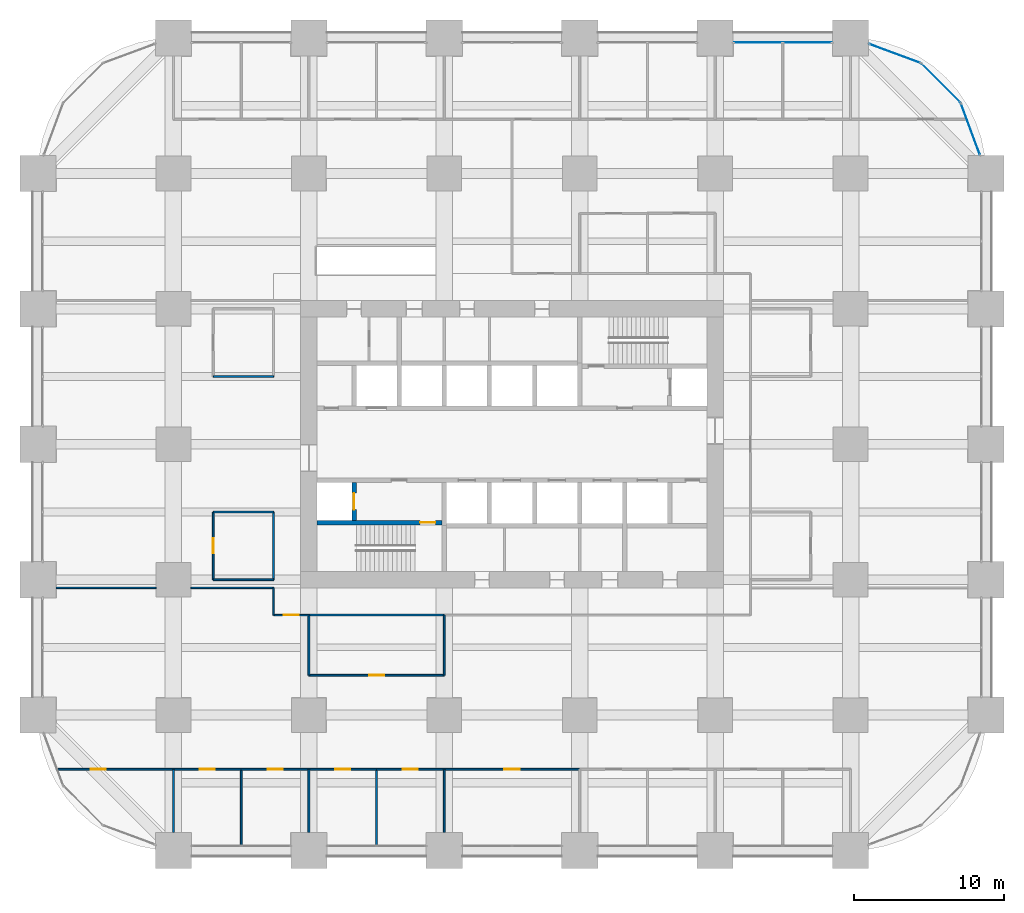
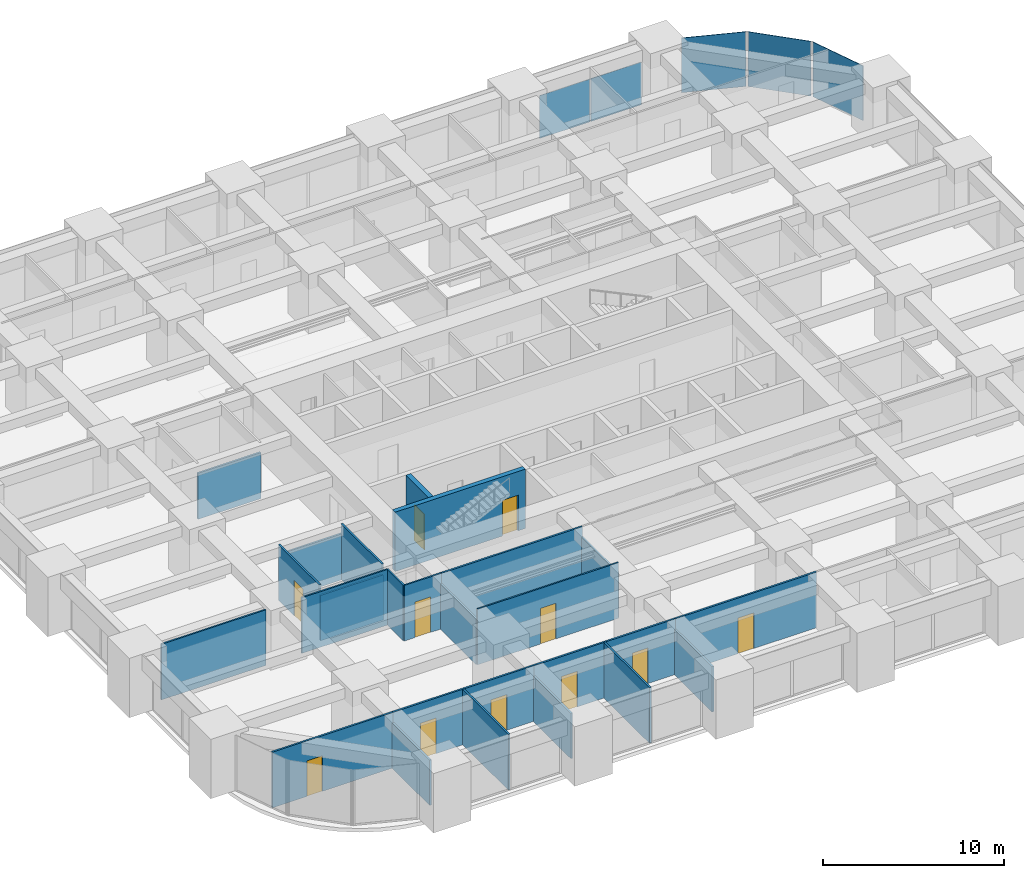
# One storey, part 39 of 44: 26 walls, 11 doors, 5 plates, 11 openings, 4 elements without a shape of their own.
"""IFC4 building model written with IfcOpenShell, lengths in metres."""

from ifc_helpers import new_model, si_unit, direction, frame, frame_2d, origin, origin_2d, place, context, subcontext, project, spatial, rectangle, extrude, material, layer, layer_set, type_object, element, fill, aggregate, save


model = new_model("IFC4")

# Units and contexts
model_context = context("Model", 3, precision=1e-05, world=origin(), true_north=direction((0.0, 1.0)))
body_context = subcontext(model_context, "Body", "Model", "MODEL_VIEW")
ifc_project = project(units=[si_unit("LENGTHUNIT", "METRE"), si_unit("AREAUNIT", "SQUARE_METRE"), si_unit("VOLUMEUNIT", "CUBIC_METRE"), si_unit("PLANEANGLEUNIT", "RADIAN"), si_unit("MASSUNIT", "GRAM", prefix="KILO")], contexts=[model_context])

# Site, building, storey
site_placement = place(None, origin())
site = spatial("IfcSite", under=ifc_project, at=site_placement, CompositionType="ELEMENT")
building_placement = place(site_placement, origin())
building = spatial("IfcBuilding", under=site, at=building_placement, Name="Zorevar Civic Tower", CompositionType="ELEMENT")
storey_placement = place(building_placement, frame((0.0, 0.0, 43.800048828125)))
storey = spatial("IfcBuildingStorey", under=building, at=storey_placement, Name="L10", CompositionType="ELEMENT", Elevation=43.800048828125)

# Curtain wall, plates
ifc_material_1 = material(Name="Dark grey solar-control glass in black aluminium frame", Category="aluminium")
curtain_wall_type = type_object("IfcCurtainWallType", Name="Curtain wall CW2 low zone", PredefinedType="NOTDEFINED", material=ifc_material_1)
curtain_wall_1_placement = place(storey_placement, origin())
curtain_wall_1 = element("IfcCurtainWall", 1, at=curtain_wall_1_placement, inside=storey, type_object=curtain_wall_type, Name="CW2 L10", PredefinedType="NOTDEFINED")
ifc_material_2 = material(Name="Dark grey solar-control glass", Category="glass")
ifc_layer_1 = layer(ifc_material_2, 0.031982421875)
ifc_layer_set_1 = layer_set([ifc_layer_1], Name="CW2 panel 32")
plate_type = type_object("IfcPlateType", Name="CW2 panel 32", PredefinedType="CURTAIN_PANEL", material=ifc_layer_set_1)
plate_1_placement = place(storey_placement, frame((47.864990234375, 53.699951171875, 0.06005859375), z_axis=(0.0, 0.0, 1.0), x_axis=(1.0, 0.0, 0.0)))
plate_1 = element("IfcPlate", 2, at=plate_1_placement, type_object=plate_type, Name="CW2 panel 1.1", PredefinedType="CURTAIN_PANEL", context=body_context, shape_type="SweptSolid", body=[
    extrude(rectangle(XDim=3.2099609375, YDim=0.031982421875, at=origin_2d()), origin(), (0.0, 0.0, 1.0), 2.889892578125),
])
plate_2_placement = place(storey_placement, frame((51.135009765625, 53.699951171875, 0.06005859375), z_axis=(0.0, 0.0, 1.0), x_axis=(1.0, 0.0, 0.0)))
plate_2 = element("IfcPlate", 3, at=plate_2_placement, type_object=plate_type, Name="CW2 panel 2.1", PredefinedType="CURTAIN_PANEL", context=body_context, shape_type="SweptSolid", body=[
    extrude(rectangle(XDim=3.2099609375, YDim=0.031982421875, at=origin_2d()), origin(), (0.0, 0.0, 1.0), 2.889892578125),
])
aggregate(curtain_wall_1, [plate_1, plate_2])

# Curtain wall, plate
curtain_wall_2_placement = place(storey_placement, origin())
curtain_wall_2 = element("IfcCurtainWall", 4, at=curtain_wall_2_placement, inside=storey, type_object=curtain_wall_type, Name="CW2 L10", PredefinedType="NOTDEFINED")
plate_3_placement = place(storey_placement, frame((61.97119140625, 47.9462890625, 0.06005859375), z_axis=(0.0, 0.0, 1.0), x_axis=(-0.346704012033, 0.937974588163, 0.0)))
plate_3 = element("IfcPlate", 5, at=plate_3_placement, type_object=plate_type, Name="CW2 panel 1.1", PredefinedType="CURTAIN_PANEL", context=body_context, shape_type="SweptSolid", body=[
    extrude(rectangle(XDim=3.603759765625, YDim=0.031982421875, at=origin_2d()), origin(), (0.0, 0.0, 1.0), 3.68994140625),
])
aggregate(curtain_wall_2, [plate_3])

curtain_wall_3_placement = place(storey_placement, origin())
curtain_wall_3 = element("IfcCurtainWall", 6, at=curtain_wall_3_placement, inside=storey, type_object=curtain_wall_type, Name="CW2 L10", PredefinedType="NOTDEFINED")
plate_4_placement = place(storey_placement, frame((60.00927734375, 51.00927734375, 0.06005859375), z_axis=(0.0, 0.0, 1.0), x_axis=(-0.707106781187, 0.707106781187, 0.0)))
plate_4 = element("IfcPlate", 7, at=plate_4_placement, type_object=plate_type, Name="CW2 panel 1.1", PredefinedType="CURTAIN_PANEL", context=body_context, shape_type="SweptSolid", body=[
    extrude(rectangle(XDim=3.603759765625, YDim=0.031982421875, at=origin_2d()), origin(), (0.0, 0.0, 1.0), 3.68994140625),
])
aggregate(curtain_wall_3, [plate_4])

curtain_wall_4_placement = place(storey_placement, origin())
curtain_wall_4 = element("IfcCurtainWall", 8, at=curtain_wall_4_placement, inside=storey, type_object=curtain_wall_type, Name="CW2 L10", PredefinedType="NOTDEFINED")
plate_5_placement = place(storey_placement, frame((56.9462890625, 52.97119140625, 0.06005859375), z_axis=(0.0, 0.0, 1.0), x_axis=(-0.937974588163, 0.346704012033, 0.0)))
plate_5 = element("IfcPlate", 9, at=plate_5_placement, type_object=plate_type, Name="CW2 panel 1.1", PredefinedType="CURTAIN_PANEL", context=body_context, shape_type="SweptSolid", body=[
    extrude(rectangle(XDim=3.603759765625, YDim=0.031982421875, at=origin_2d()), origin(), (0.0, 0.0, 1.0), 3.68994140625),
])
aggregate(curtain_wall_4, [plate_5])

# Wall, opening, door
ifc_material_3 = material(Name="Laminated glass in black aluminium frame", Category="aluminium")
ifc_layer_2 = layer(ifc_material_3, 0.10009765625)
ifc_layer_set_2 = layer_set([ifc_layer_2], Name="Glazed partition 100")
wall_type_1 = type_object("IfcWallType", Name="Glazed partition 100", PredefinedType="PARTITIONING", material=ifc_layer_set_2)
wall_1_placement = place(storey_placement, frame((18.0, 11.64990234375, 0.0), z_axis=(0.0, 0.0, 1.0), x_axis=(1.0, 0.0, 0.0)))
wall_1 = element("IfcWall", 10, at=wall_1_placement, inside=storey, type_object=wall_type_1, Name="Glazed partition 100 L10", PredefinedType="PARTITIONING", context=body_context, shape_type="SweptSolid", body=[
    extrude(rectangle(XDim=9.0, YDim=0.10009765625, at=frame_2d((4.5, 0.0))), origin(), (0.0, 0.0, 1.0), 3.75),
])
opening_1_placement = place(wall_1_placement, frame((4.0, 0.0, 0.0)))
opening_1 = element("IfcOpeningElement", 11, at=opening_1_placement, cuts=wall_1, Name="Opening L10.27", PredefinedType="OPENING", context=body_context, shape_type="SweptSolid", body=[
    extrude(rectangle(XDim=1.0, YDim=2.39990234375, at=frame_2d((0.5, 1.199951171875))), frame((0.0, 0.06005859375, 0.0), z_axis=(0.0, -1.0, 0.0), x_axis=(1.0, 0.0, 0.0)), (0.0, 0.0, 1.0), 0.1201171875),
])
ifc_material_4 = material(Name="Timber door set", Category="wood")
door_type_1 = type_object("IfcDoorType", Name="Glazed door GD1 1000x2400", OperationType="SINGLE_SWING_LEFT", PredefinedType="DOOR", material=ifc_material_4)
door_1_placement = place(opening_1_placement, origin())
door_1 = element("IfcDoor", 12, at=door_1_placement, inside=storey, type_object=door_type_1, Name="Door L10 D1", OperationType="SINGLE_SWING_LEFT", OverallHeight=2.39990234375, OverallWidth=1.0, PredefinedType="DOOR", context=body_context, shape_type="SweptSolid", body=[
    extrude(rectangle(XDim=1.0, YDim=2.39990234375, at=frame_2d((0.5, 1.199951171875))), frame((0.0, 0.02001953125, 0.0), z_axis=(0.0, -1.0, 0.0), x_axis=(1.0, 0.0, 0.0)), (0.0, 0.0, 1.0), 0.0400390625),
])
fill(opening_1, door_1)

wall_2_placement = place(storey_placement, frame((15.64990234375, 15.64990234375, 0.0), z_axis=(0.0, 0.0, 1.0), x_axis=(1.0, 0.0, 0.0)))
wall_2 = element("IfcWall", 13, at=wall_2_placement, inside=storey, type_object=wall_type_1, Name="Glazed partition 100 L10", PredefinedType="PARTITIONING", context=body_context, shape_type="SweptSolid", body=[
    extrude(rectangle(XDim=2.35009765625, YDim=0.10009765625, at=frame_2d((1.175048828125, 0.0))), origin(), (0.0, 0.0, 1.0), 3.75),
])
opening_2_placement = place(wall_2_placement, frame((0.675048828125, 0.0, 0.0)))
opening_2 = element("IfcOpeningElement", 14, at=opening_2_placement, cuts=wall_2, Name="Opening L10.28", PredefinedType="OPENING", context=body_context, shape_type="SweptSolid", body=[
    extrude(rectangle(XDim=1.0, YDim=2.39990234375, at=frame_2d((0.5, 1.199951171875))), frame((0.0, 0.06005859375, 0.0), z_axis=(0.0, -1.0, 0.0), x_axis=(1.0, 0.0, 0.0)), (0.0, 0.0, 1.0), 0.1201171875),
])
door_2_placement = place(opening_2_placement, origin())
door_2 = element("IfcDoor", 15, at=door_2_placement, inside=storey, type_object=door_type_1, Name="Door L10 D1", OperationType="SINGLE_SWING_RIGHT", OverallHeight=2.39990234375, OverallWidth=1.0, PredefinedType="DOOR", context=body_context, shape_type="SweptSolid", body=[
    extrude(rectangle(XDim=1.0, YDim=2.39990234375, at=frame_2d((0.5, 1.199951171875))), frame((0.0, 0.02001953125, 0.0), z_axis=(0.0, -1.0, 0.0), x_axis=(1.0, 0.0, 0.0)), (0.0, 0.0, 1.0), 0.0400390625),
])
fill(opening_2, door_2)

# Walls
wall_3_placement = place(storey_placement, frame((1.199951171875, 17.449951171875, 0.0), z_axis=(0.0, 0.0, 1.0), x_axis=(1.0, 0.0, 0.0)))
element("IfcWall", 16, at=wall_3_placement, inside=storey, type_object=wall_type_1, Name="Glazed partition 100 L10", PredefinedType="PARTITIONING", context=body_context, shape_type="SweptSolid", body=[
    extrude(rectangle(XDim=6.650146484375, YDim=0.10009765625, at=frame_2d((3.3251953125, 0.0))), origin(), (0.0, 0.0, 1.0), 3.75),
])
wall_4_placement = place(storey_placement, frame((10.14990234375, 17.449951171875, 0.0), z_axis=(0.0, 0.0, 1.0), x_axis=(1.0, 0.0, 0.0)))
element("IfcWall", 17, at=wall_4_placement, inside=storey, type_object=wall_type_1, Name="Glazed partition 100 L10", PredefinedType="PARTITIONING", context=body_context, shape_type="SweptSolid", body=[
    extrude(rectangle(XDim=5.5, YDim=0.10009765625, at=frame_2d((2.75, 0.0))), origin(), (0.0, 0.0, 1.0), 3.75),
])
wall_5_placement = place(storey_placement, frame((15.64990234375, 15.64990234375, 0.0), z_axis=(0.0, 0.0, 1.0), x_axis=(0.0, 1.0, 0.0)))
element("IfcWall", 18, at=wall_5_placement, inside=storey, type_object=wall_type_1, Name="Glazed partition 100 L10", PredefinedType="PARTITIONING", context=body_context, shape_type="SweptSolid", body=[
    extrude(rectangle(XDim=1.800048828125, YDim=0.10009765625, at=frame_2d((0.89990234375, 0.0))), origin(), (0.0, 0.0, 1.0), 3.75),
])

# Wall, opening, door
ifc_material_5 = material(Name="Concrete C40/50", Category="concrete")
ifc_layer_3 = layer(ifc_material_5, 0.300048828125)
ifc_layer_set_3 = layer_set([ifc_layer_3], Name="Inner core wall 300")
wall_type_2 = type_object("IfcWallType", Name="Inner core wall 300", PredefinedType="SHEAR", material=ifc_layer_set_3)
wall_6_placement = place(storey_placement, frame((18.550048828125, 21.800048828125, 0.0), z_axis=(0.0, 0.0, 1.0), x_axis=(1.0, 0.0, 0.0)))
wall_6 = element("IfcWall", 19, at=wall_6_placement, inside=storey, type_object=wall_type_2, Name="Inner core wall S00 L10", PredefinedType="SHEAR", context=body_context, shape_type="SweptSolid", body=[
    extrude(rectangle(XDim=8.300048828125, YDim=0.300048828125, at=frame_2d((4.14990234375, 0.0))), origin(), (0.0, 0.0, 1.0), 4.0),
])
opening_3_placement = place(wall_6_placement, frame((6.85009765625, 0.0, 0.0)))
opening_3 = element("IfcOpeningElement", 20, at=opening_3_placement, cuts=wall_6, Name="Opening L10.11", PredefinedType="OPENING", context=body_context, shape_type="SweptSolid", body=[
    extrude(rectangle(XDim=1.0, YDim=2.39990234375, at=frame_2d((0.5, 1.199951171875))), frame((0.0, 0.159912109375, 0.0), z_axis=(0.0, -1.0, 0.0), x_axis=(1.0, 0.0, 0.0)), (0.0, 0.0, 1.0), 0.320068359375),
])
ifc_material_6 = material(Name="Steel door set", Category="steel")
door_type_2 = type_object("IfcDoorType", Name="Fire door FD1 1000x2400", OperationType="SINGLE_SWING_LEFT", PredefinedType="DOOR", material=ifc_material_6)
door_3_placement = place(opening_3_placement, origin())
door_3 = element("IfcDoor", 21, at=door_3_placement, inside=storey, type_object=door_type_2, Name="Door L10 10", OperationType="SINGLE_SWING_RIGHT", OverallHeight=2.39990234375, OverallWidth=1.0, PredefinedType="DOOR", context=body_context, shape_type="SweptSolid", body=[
    extrude(rectangle(XDim=1.0, YDim=2.39990234375, at=frame_2d((0.5, 1.199951171875))), frame((0.0, 0.030029296875, 0.0), z_axis=(0.0, -1.0, 0.0), x_axis=(1.0, 0.0, 0.0)), (0.0, 0.0, 1.0), 0.06005859375),
])
fill(opening_3, door_3)

wall_7_placement = place(storey_placement, frame((21.0, 21.949951171875, 0.0), z_axis=(0.0, 0.0, 1.0), x_axis=(0.0, 1.0, 0.0)))
wall_7 = element("IfcWall", 22, at=wall_7_placement, inside=storey, type_object=wall_type_2, Name="Inner core wall S02 L10", PredefinedType="SHEAR", context=body_context, shape_type="SweptSolid", body=[
    extrude(rectangle(XDim=2.5, YDim=0.300048828125, at=frame_2d((1.25, 0.0))), origin(), (0.0, 0.0, 1.0), 4.0),
])
opening_4_placement = place(wall_7_placement, frame((0.699951171875, 0.0, 0.0)))
opening_4 = element("IfcOpeningElement", 23, at=opening_4_placement, cuts=wall_7, Name="Opening L10.FL1", PredefinedType="OPENING", context=body_context, shape_type="SweptSolid", body=[
    extrude(rectangle(XDim=1.10009765625, YDim=2.39990234375, at=frame_2d((0.550048828125, 1.199951171875))), frame((0.0, 0.159912109375, 0.0), z_axis=(0.0, -1.0, 0.0), x_axis=(1.0, 0.0, 0.0)), (0.0, 0.0, 1.0), 0.320068359375),
])
ifc_material_7 = material(Name="Steel door set", Category="steel")
door_type_3 = type_object("IfcDoorType", Name="Firefighting lift landing door LD3 1100x2400", OperationType="DOUBLE_DOOR_SLIDING", PredefinedType="DOOR", material=ifc_material_7)
door_4_placement = place(opening_4_placement, origin())
door_4 = element("IfcDoor", 24, at=door_4_placement, inside=storey, type_object=door_type_3, Name="Landing door FL1 L10", OperationType="DOUBLE_DOOR_SLIDING", OverallHeight=2.39990234375, OverallWidth=1.10009765625, PredefinedType="DOOR", context=body_context, shape_type="SweptSolid", body=[
    extrude(rectangle(XDim=1.10009765625, YDim=2.39990234375, at=frame_2d((0.550048828125, 1.199951171875))), frame((0.0, 0.030029296875, 0.0), z_axis=(0.0, -1.0, 0.0), x_axis=(1.0, 0.0, 0.0)), (0.0, 0.0, 1.0), 0.06005859375),
])
fill(opening_4, door_4)

ifc_material_8 = material(Name="Gypsum board on steel studs", Category="steel")
ifc_layer_4 = layer(ifc_material_8, 0.1201171875)
ifc_layer_set_4 = layer_set([ifc_layer_4], Name="Partition 120")
wall_type_3 = type_object("IfcWallType", Name="Partition 120", PredefinedType="PARTITIONING", material=ifc_layer_set_4)
wall_8_placement = place(storey_placement, frame((9.0, 5.39990234375, 0.0), z_axis=(0.0, 0.0, 1.0), x_axis=(1.0, 0.0, 0.0)))
wall_8 = element("IfcWall", 25, at=wall_8_placement, inside=storey, type_object=wall_type_3, Name="Partition 120 L10", PredefinedType="PARTITIONING", context=body_context, shape_type="SweptSolid", body=[
    extrude(rectangle(XDim=4.5, YDim=0.1201171875, at=frame_2d((2.25, 0.0))), origin(), (0.0, 0.0, 1.0), 3.75),
])
opening_5_placement = place(wall_8_placement, frame((1.75, 0.0, 0.0)))
opening_5 = element("IfcOpeningElement", 26, at=opening_5_placement, cuts=wall_8, Name="Opening L10.17", PredefinedType="OPENING", context=body_context, shape_type="SweptSolid", body=[
    extrude(rectangle(XDim=1.0, YDim=2.39990234375, at=frame_2d((0.5, 1.199951171875))), frame((0.0, 0.070068359375, 0.0), z_axis=(0.0, -1.0, 0.0), x_axis=(1.0, 0.0, 0.0)), (0.0, 0.0, 1.0), 0.14013671875),
])
ifc_material_9 = material(Name="Timber door set", Category="wood")
door_type_4 = type_object("IfcDoorType", Name="Door D1 1000x2400", OperationType="SINGLE_SWING_LEFT", PredefinedType="DOOR", material=ifc_material_9)
door_5_placement = place(opening_5_placement, origin())
door_5 = element("IfcDoor", 27, at=door_5_placement, inside=storey, type_object=door_type_4, Name="Door L10 D1", OperationType="SINGLE_SWING_RIGHT", OverallHeight=2.39990234375, OverallWidth=1.0, PredefinedType="DOOR", context=body_context, shape_type="SweptSolid", body=[
    extrude(rectangle(XDim=1.0, YDim=2.39990234375, at=frame_2d((0.5, 1.199951171875))), frame((0.0, 0.02490234375, 0.0), z_axis=(0.0, -1.0, 0.0), x_axis=(1.0, 0.0, 0.0)), (0.0, 0.0, 1.0), 0.050048828125),
])
fill(opening_5, door_5)

wall_9_placement = place(storey_placement, frame((13.5, 5.39990234375, 0.0), z_axis=(0.0, 0.0, 1.0), x_axis=(1.0, 0.0, 0.0)))
wall_9 = element("IfcWall", 28, at=wall_9_placement, inside=storey, type_object=wall_type_3, Name="Partition 120 L10", PredefinedType="PARTITIONING", context=body_context, shape_type="SweptSolid", body=[
    extrude(rectangle(XDim=4.5, YDim=0.1201171875, at=frame_2d((2.25, 0.0))), origin(), (0.0, 0.0, 1.0), 3.75),
])
opening_6_placement = place(wall_9_placement, frame((1.75, 0.0, 0.0)))
opening_6 = element("IfcOpeningElement", 29, at=opening_6_placement, cuts=wall_9, Name="Opening L10.18", PredefinedType="OPENING", context=body_context, shape_type="SweptSolid", body=[
    extrude(rectangle(XDim=1.0, YDim=2.39990234375, at=frame_2d((0.5, 1.199951171875))), frame((0.0, 0.070068359375, 0.0), z_axis=(0.0, -1.0, 0.0), x_axis=(1.0, 0.0, 0.0)), (0.0, 0.0, 1.0), 0.14013671875),
])
door_6_placement = place(opening_6_placement, origin())
door_6 = element("IfcDoor", 30, at=door_6_placement, inside=storey, type_object=door_type_4, Name="Door L10 D1", OperationType="SINGLE_SWING_RIGHT", OverallHeight=2.39990234375, OverallWidth=1.0, PredefinedType="DOOR", context=body_context, shape_type="SweptSolid", body=[
    extrude(rectangle(XDim=1.0, YDim=2.39990234375, at=frame_2d((0.5, 1.199951171875))), frame((0.0, 0.02490234375, 0.0), z_axis=(0.0, -1.0, 0.0), x_axis=(1.0, 0.0, 0.0)), (0.0, 0.0, 1.0), 0.050048828125),
])
fill(opening_6, door_6)

wall_10_placement = place(storey_placement, frame((18.0, 5.39990234375, 0.0), z_axis=(0.0, 0.0, 1.0), x_axis=(1.0, 0.0, 0.0)))
wall_10 = element("IfcWall", 31, at=wall_10_placement, inside=storey, type_object=wall_type_3, Name="Partition 120 L10", PredefinedType="PARTITIONING", context=body_context, shape_type="SweptSolid", body=[
    extrude(rectangle(XDim=4.5, YDim=0.1201171875, at=frame_2d((2.25, 0.0))), origin(), (0.0, 0.0, 1.0), 3.75),
])
opening_7_placement = place(wall_10_placement, frame((1.75, 0.0, 0.0)))
opening_7 = element("IfcOpeningElement", 32, at=opening_7_placement, cuts=wall_10, Name="Opening L10.19", PredefinedType="OPENING", context=body_context, shape_type="SweptSolid", body=[
    extrude(rectangle(XDim=1.0, YDim=2.39990234375, at=frame_2d((0.5, 1.199951171875))), frame((0.0, 0.070068359375, 0.0), z_axis=(0.0, -1.0, 0.0), x_axis=(1.0, 0.0, 0.0)), (0.0, 0.0, 1.0), 0.14013671875),
])
door_7_placement = place(opening_7_placement, origin())
door_7 = element("IfcDoor", 33, at=door_7_placement, inside=storey, type_object=door_type_4, Name="Door L10 D1", OperationType="SINGLE_SWING_RIGHT", OverallHeight=2.39990234375, OverallWidth=1.0, PredefinedType="DOOR", context=body_context, shape_type="SweptSolid", body=[
    extrude(rectangle(XDim=1.0, YDim=2.39990234375, at=frame_2d((0.5, 1.199951171875))), frame((0.0, 0.02490234375, 0.0), z_axis=(0.0, -1.0, 0.0), x_axis=(1.0, 0.0, 0.0)), (0.0, 0.0, 1.0), 0.050048828125),
])
fill(opening_7, door_7)

wall_11_placement = place(storey_placement, frame((22.5, 5.39990234375, 0.0), z_axis=(0.0, 0.0, 1.0), x_axis=(1.0, 0.0, 0.0)))
wall_11 = element("IfcWall", 34, at=wall_11_placement, inside=storey, type_object=wall_type_3, Name="Partition 120 L10", PredefinedType="PARTITIONING", context=body_context, shape_type="SweptSolid", body=[
    extrude(rectangle(XDim=4.5, YDim=0.1201171875, at=frame_2d((2.25, 0.0))), origin(), (0.0, 0.0, 1.0), 3.75),
])
opening_8_placement = place(wall_11_placement, frame((1.75, 0.0, 0.0)))
opening_8 = element("IfcOpeningElement", 35, at=opening_8_placement, cuts=wall_11, Name="Opening L10.20", PredefinedType="OPENING", context=body_context, shape_type="SweptSolid", body=[
    extrude(rectangle(XDim=1.0, YDim=2.39990234375, at=frame_2d((0.5, 1.199951171875))), frame((0.0, 0.070068359375, 0.0), z_axis=(0.0, -1.0, 0.0), x_axis=(1.0, 0.0, 0.0)), (0.0, 0.0, 1.0), 0.14013671875),
])
door_8_placement = place(opening_8_placement, origin())
door_8 = element("IfcDoor", 36, at=door_8_placement, inside=storey, type_object=door_type_4, Name="Door L10 D1", OperationType="SINGLE_SWING_RIGHT", OverallHeight=2.39990234375, OverallWidth=1.0, PredefinedType="DOOR", context=body_context, shape_type="SweptSolid", body=[
    extrude(rectangle(XDim=1.0, YDim=2.39990234375, at=frame_2d((0.5, 1.199951171875))), frame((0.0, 0.02490234375, 0.0), z_axis=(0.0, -1.0, 0.0), x_axis=(1.0, 0.0, 0.0)), (0.0, 0.0, 1.0), 0.050048828125),
])
fill(opening_8, door_8)

wall_12_placement = place(storey_placement, frame((27.0, 5.39990234375, 0.0), z_axis=(0.0, 0.0, 1.0), x_axis=(1.0, 0.0, 0.0)))
wall_12 = element("IfcWall", 37, at=wall_12_placement, inside=storey, type_object=wall_type_3, Name="Partition 120 L10", PredefinedType="PARTITIONING", context=body_context, shape_type="SweptSolid", body=[
    extrude(rectangle(XDim=9.0, YDim=0.1201171875, at=frame_2d((4.5, 0.0))), origin(), (0.0, 0.0, 1.0), 3.75),
])
opening_9_placement = place(wall_12_placement, frame((4.0, 0.0, 0.0)))
opening_9 = element("IfcOpeningElement", 38, at=opening_9_placement, cuts=wall_12, Name="Opening L10.21", PredefinedType="OPENING", context=body_context, shape_type="SweptSolid", body=[
    extrude(rectangle(XDim=1.0, YDim=2.39990234375, at=frame_2d((0.5, 1.199951171875))), frame((0.0, 0.070068359375, 0.0), z_axis=(0.0, -1.0, 0.0), x_axis=(1.0, 0.0, 0.0)), (0.0, 0.0, 1.0), 0.14013671875),
])
door_9_placement = place(opening_9_placement, origin())
door_9 = element("IfcDoor", 39, at=door_9_placement, inside=storey, type_object=door_type_4, Name="Door L10 D1", OperationType="SINGLE_SWING_LEFT", OverallHeight=2.39990234375, OverallWidth=1.0, PredefinedType="DOOR", context=body_context, shape_type="SweptSolid", body=[
    extrude(rectangle(XDim=1.0, YDim=2.39990234375, at=frame_2d((0.5, 1.199951171875))), frame((0.0, 0.02490234375, 0.0), z_axis=(0.0, -1.0, 0.0), x_axis=(1.0, 0.0, 0.0)), (0.0, 0.0, 1.0), 0.050048828125),
])
fill(opening_9, door_9)

wall_13_placement = place(storey_placement, frame((1.3095703125, 5.39990234375, 0.0), z_axis=(0.0, 0.0, 1.0), x_axis=(1.0, 0.0, 0.0)))
wall_13 = element("IfcWall", 40, at=wall_13_placement, inside=storey, type_object=wall_type_3, Name="Partition 120 L10", PredefinedType="PARTITIONING", context=body_context, shape_type="SweptSolid", body=[
    extrude(rectangle(XDim=7.6904296875, YDim=0.1201171875, at=frame_2d((3.84521484375, 0.0))), origin(), (0.0, 0.0, 1.0), 3.75),
])
opening_10_placement = place(wall_13_placement, frame((2.1904296875, 0.0, 0.0)))
opening_10 = element("IfcOpeningElement", 41, at=opening_10_placement, cuts=wall_13, Name="Opening L10.26", PredefinedType="OPENING", context=body_context, shape_type="SweptSolid", body=[
    extrude(rectangle(XDim=1.0, YDim=2.39990234375, at=frame_2d((0.5, 1.199951171875))), frame((0.0, 0.070068359375, 0.0), z_axis=(0.0, -1.0, 0.0), x_axis=(1.0, 0.0, 0.0)), (0.0, 0.0, 1.0), 0.14013671875),
])
door_10_placement = place(opening_10_placement, origin())
door_10 = element("IfcDoor", 42, at=door_10_placement, inside=storey, type_object=door_type_4, Name="Door L10 D1", OperationType="SINGLE_SWING_RIGHT", OverallHeight=2.39990234375, OverallWidth=1.0, PredefinedType="DOOR", context=body_context, shape_type="SweptSolid", body=[
    extrude(rectangle(XDim=1.0, YDim=2.39990234375, at=frame_2d((0.5, 1.199951171875))), frame((0.0, 0.02490234375, 0.0), z_axis=(0.0, -1.0, 0.0), x_axis=(1.0, 0.0, 0.0)), (0.0, 0.0, 1.0), 0.050048828125),
])
fill(opening_10, door_10)

# Walls
wall_14_placement = place(storey_placement, frame((18.0, 15.64990234375, 0.0), z_axis=(0.0, 0.0, 1.0), x_axis=(1.0, 0.0, 0.0)))
element("IfcWall", 43, at=wall_14_placement, inside=storey, type_object=wall_type_3, Name="Partition 120 L10", PredefinedType="PARTITIONING", context=body_context, shape_type="SweptSolid", body=[
    extrude(rectangle(XDim=9.0, YDim=0.1201171875, at=frame_2d((4.5, 0.0))), origin(), (0.0, 0.0, 1.0), 3.75),
])
wall_15_placement = place(storey_placement, frame((11.64990234375, 18.0, 0.0), z_axis=(0.0, 0.0, 1.0), x_axis=(1.0, 0.0, 0.0)))
element("IfcWall", 44, at=wall_15_placement, inside=storey, type_object=wall_type_3, Name="Partition 120 L10", PredefinedType="PARTITIONING", context=body_context, shape_type="SweptSolid", body=[
    extrude(rectangle(XDim=4.0, YDim=0.1201171875, at=frame_2d((2.0, 0.0))), origin(), (0.0, 0.0, 1.0), 3.050048828125),
])
for number, where, z_axis, x_axis, name in (
    (45, (11.64990234375, 22.5, 0.0), (0.0, 0.0, 1.0), (1.0, 0.0, 0.0), "Partition 120 L10"),
    (46, (11.64990234375, 31.5, 0.0), (0.0, 0.0, 1.0), (1.0, 0.0, 0.0), "Partition 120 L10"),
):
    element("IfcWall", number, at=place(storey_placement, frame(where, z_axis=z_axis, x_axis=x_axis)), inside=storey, type_object=wall_type_3, Name=name, PredefinedType="PARTITIONING", context=body_context, shape_type="SweptSolid", body=[
        extrude(rectangle(XDim=4.0, YDim=0.1201171875, at=frame_2d((2.0, 0.0))), origin(), (0.0, 0.0, 1.0), 3.099853515625),
    ])
wall_16_placement = place(storey_placement, frame((9.0, 1.199951171875, 0.0), z_axis=(0.0, 0.0, 1.0), x_axis=(0.0, 1.0, 0.0)))
element("IfcWall", 47, at=wall_16_placement, inside=storey, type_object=wall_type_3, Name="Partition 120 L10", PredefinedType="PARTITIONING", context=body_context, shape_type="SweptSolid", body=[
    extrude(rectangle(XDim=4.199951171875, YDim=0.1201171875, at=frame_2d((2.10009765625, 0.0))), origin(), (0.0, 0.0, 1.0), 3.050048828125),
])

# Wall, opening, door
wall_17_placement = place(storey_placement, frame((11.64990234375, 18.0, 0.0), z_axis=(0.0, 0.0, 1.0), x_axis=(0.0, 1.0, 0.0)))
wall_17 = element("IfcWall", 48, at=wall_17_placement, inside=storey, type_object=wall_type_3, Name="Partition 120 L10", PredefinedType="PARTITIONING", context=body_context, shape_type="SweptSolid", body=[
    extrude(rectangle(XDim=4.5, YDim=0.1201171875, at=frame_2d((2.25, 0.0))), origin(), (0.0, 0.0, 1.0), 3.75),
])
opening_11_placement = place(wall_17_placement, frame((1.75, 0.0, 0.0)))
opening_11 = element("IfcOpeningElement", 49, at=opening_11_placement, cuts=wall_17, Name="Opening L10.42", PredefinedType="OPENING", context=body_context, shape_type="SweptSolid", body=[
    extrude(rectangle(XDim=1.0, YDim=2.39990234375, at=frame_2d((0.5, 1.199951171875))), frame((0.0, 0.070068359375, 0.0), z_axis=(0.0, -1.0, 0.0), x_axis=(1.0, 0.0, 0.0)), (0.0, 0.0, 1.0), 0.14013671875),
])
door_11_placement = place(opening_11_placement, origin())
door_11 = element("IfcDoor", 50, at=door_11_placement, inside=storey, type_object=door_type_4, Name="Door L10 D1", OperationType="SINGLE_SWING_RIGHT", OverallHeight=2.39990234375, OverallWidth=1.0, PredefinedType="DOOR", context=body_context, shape_type="SweptSolid", body=[
    extrude(rectangle(XDim=1.0, YDim=2.39990234375, at=frame_2d((0.5, 1.199951171875))), frame((0.0, 0.02490234375, 0.0), z_axis=(0.0, -1.0, 0.0), x_axis=(1.0, 0.0, 0.0)), (0.0, 0.0, 1.0), 0.050048828125),
])
fill(opening_11, door_11)

# Walls
wall_18_placement = place(storey_placement, frame((13.5, 0.31005859375, 0.0), z_axis=(0.0, 0.0, 1.0), x_axis=(0.0, 1.0, 0.0)))
element("IfcWall", 51, at=wall_18_placement, inside=storey, type_object=wall_type_3, Name="Partition 120 L10", PredefinedType="PARTITIONING", context=body_context, shape_type="SweptSolid", body=[
    extrude(rectangle(XDim=5.08984375, YDim=0.1201171875, at=frame_2d((2.544921875, 0.0))), origin(), (0.0, 0.0, 1.0), 3.75),
])
wall_19_placement = place(storey_placement, frame((15.64990234375, 18.0, 0.0), z_axis=(0.0, 0.0, 1.0), x_axis=(0.0, 1.0, 0.0)))
element("IfcWall", 52, at=wall_19_placement, inside=storey, type_object=wall_type_3, Name="Partition 120 L10", PredefinedType="PARTITIONING", context=body_context, shape_type="SweptSolid", body=[
    extrude(rectangle(XDim=4.5, YDim=0.1201171875, at=frame_2d((2.25, 0.0))), origin(), (0.0, 0.0, 1.0), 3.75),
])
wall_20_placement = place(storey_placement, frame((18.0, 1.199951171875, 0.0), z_axis=(0.0, 0.0, 1.0), x_axis=(0.0, 1.0, 0.0)))
element("IfcWall", 53, at=wall_20_placement, inside=storey, type_object=wall_type_3, Name="Partition 120 L10", PredefinedType="PARTITIONING", context=body_context, shape_type="SweptSolid", body=[
    extrude(rectangle(XDim=4.199951171875, YDim=0.1201171875, at=frame_2d((2.10009765625, 0.0))), origin(), (0.0, 0.0, 1.0), 3.050048828125),
])
wall_21_placement = place(storey_placement, frame((18.0, 11.64990234375, 0.0), z_axis=(0.0, 0.0, 1.0), x_axis=(0.0, 1.0, 0.0)))
element("IfcWall", 54, at=wall_21_placement, inside=storey, type_object=wall_type_3, Name="Partition 120 L10", PredefinedType="PARTITIONING", context=body_context, shape_type="SweptSolid", body=[
    extrude(rectangle(XDim=4.0, YDim=0.1201171875, at=frame_2d((2.0, 0.0))), origin(), (0.0, 0.0, 1.0), 3.050048828125),
])
wall_22_placement = place(storey_placement, frame((22.5, 0.31005859375, 0.0), z_axis=(0.0, 0.0, 1.0), x_axis=(0.0, 1.0, 0.0)))
element("IfcWall", 55, at=wall_22_placement, inside=storey, type_object=wall_type_3, Name="Partition 120 L10", PredefinedType="PARTITIONING", context=body_context, shape_type="SweptSolid", body=[
    extrude(rectangle(XDim=5.08984375, YDim=0.1201171875, at=frame_2d((2.544921875, 0.0))), origin(), (0.0, 0.0, 1.0), 3.75),
])
wall_23_placement = place(storey_placement, frame((27.0, 1.199951171875, 0.0), z_axis=(0.0, 0.0, 1.0), x_axis=(0.0, 1.0, 0.0)))
element("IfcWall", 56, at=wall_23_placement, inside=storey, type_object=wall_type_3, Name="Partition 120 L10", PredefinedType="PARTITIONING", context=body_context, shape_type="SweptSolid", body=[
    extrude(rectangle(XDim=4.199951171875, YDim=0.1201171875, at=frame_2d((2.10009765625, 0.0))), origin(), (0.0, 0.0, 1.0), 3.050048828125),
])
wall_24_placement = place(storey_placement, frame((27.0, 11.64990234375, 0.0), z_axis=(0.0, 0.0, 1.0), x_axis=(0.0, 1.0, 0.0)))
element("IfcWall", 57, at=wall_24_placement, inside=storey, type_object=wall_type_3, Name="Partition 120 L10", PredefinedType="PARTITIONING", context=body_context, shape_type="SweptSolid", body=[
    extrude(rectangle(XDim=4.0, YDim=0.1201171875, at=frame_2d((2.0, 0.0))), origin(), (0.0, 0.0, 1.0), 3.050048828125),
])

save(model, "model.ifc")
